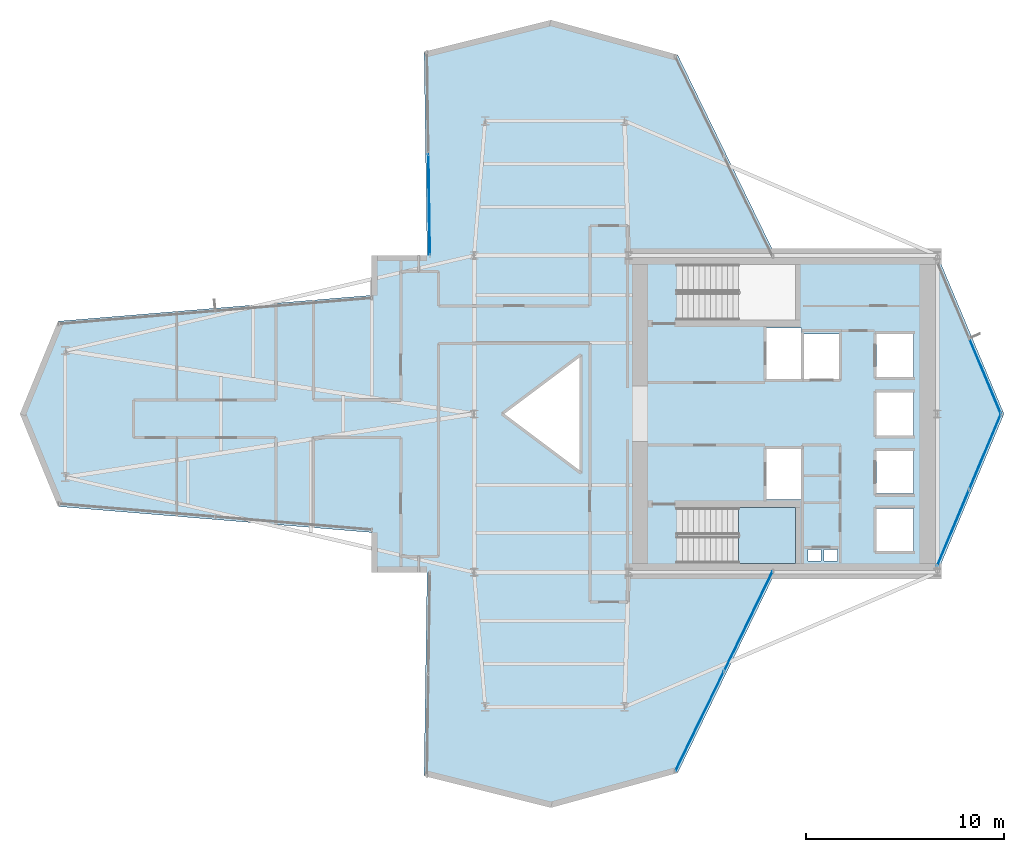
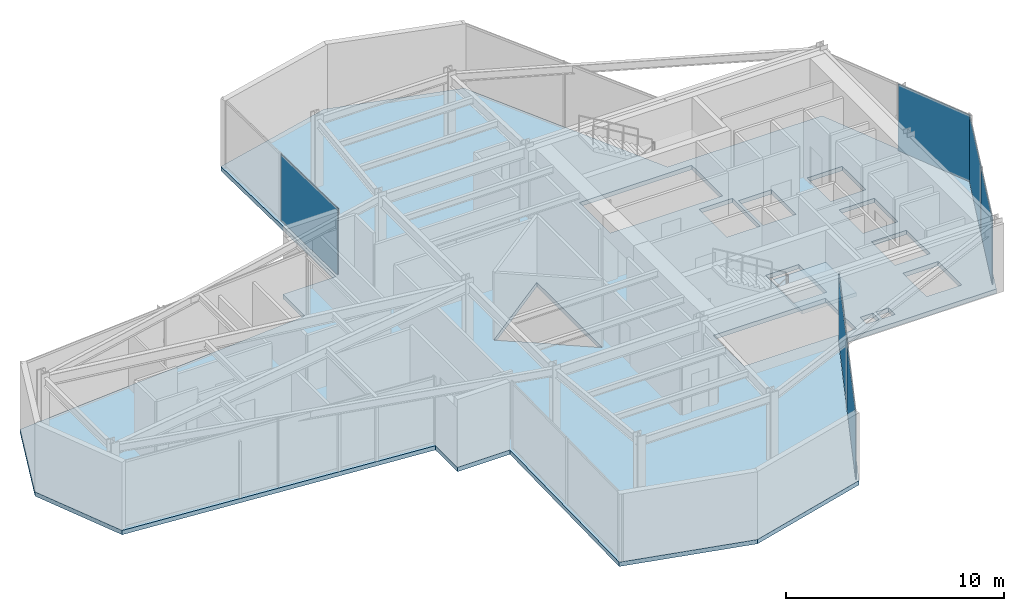
# One storey, part 20 of 25: 6 plates, 2 slabs, 5 elements without a shape of their own.
"""IFC4 building model written with IfcOpenShell, lengths in metres."""

from ifc_helpers import new_model, si_unit, direction, frame, origin, origin_2d, place, context, subcontext, project, spatial, polyline, rectangle, outline, extrude, material, layer, layer_set, type_object, element, aggregate, save


model = new_model("IFC4")

# Units and contexts
model_context = context("Model", 3, precision=1e-05, world=origin(), true_north=direction((0.0, 1.0)))
body_context = subcontext(model_context, "Body", "Model", "MODEL_VIEW")
ifc_project = project(units=[si_unit("LENGTHUNIT", "METRE"), si_unit("AREAUNIT", "SQUARE_METRE"), si_unit("VOLUMEUNIT", "CUBIC_METRE"), si_unit("PLANEANGLEUNIT", "RADIAN"), si_unit("MASSUNIT", "GRAM", prefix="KILO")], contexts=[model_context])

# Site, building, storey
site_placement = place(None, origin())
site = spatial("IfcSite", under=ifc_project, at=site_placement, CompositionType="ELEMENT")
building_placement = place(site_placement, origin())
building = spatial("IfcBuilding", under=site, at=building_placement, Name="Veymaron Broadcast Tower", CompositionType="ELEMENT")
storey_placement = place(building_placement, frame((0.0, 0.0, 116.85009765625)))
storey = spatial("IfcBuildingStorey", under=building, at=storey_placement, Name="L26", CompositionType="ELEMENT", Elevation=116.85009765625)

# Curtain wall, plates
ifc_material_1 = material(Name="Anodised aluminium AA 6063-T6 and laminated low-E dark glass", Category="aluminium")
ifc_layer_1 = layer(ifc_material_1, 0.179931640625)
ifc_layer_set_1 = layer_set([ifc_layer_1], Name="Anodised aluminium AA 6063-T6 and laminated low-E dark glass")
curtain_wall_type = type_object("IfcCurtainWallType", Name="CW-SYS-03", PredefinedType="NOTDEFINED", material=ifc_layer_set_1)
curtain_wall_1_placement = place(storey_placement, origin())
curtain_wall_1 = element("IfcCurtainWall", 1, at=curtain_wall_1_placement, inside=storey, type_object=curtain_wall_type, Name="L26 dark-glass curtain wall CW-L26-E2-1", PredefinedType="NOTDEFINED")
ifc_material_2 = material(Name="Insulated dark-anodised aluminium spandrel panel 40 mm", Category="aluminium")
ifc_layer_2 = layer(ifc_material_2, 0.0400390625)
ifc_layer_set_2 = layer_set([ifc_layer_2], Name="Insulated dark-anodised aluminium spandrel panel 40 mm")
plate_type = type_object("IfcPlateType", Name="CW-PNL-03", PredefinedType="CURTAIN_PANEL", material=ifc_layer_set_2)
plate_1_placement = place(storey_placement, frame((55.390380859375, 18.243408203125, 0.039794921875), z_axis=(0.0, 0.0, 1.0), x_axis=(0.387225955483, 0.921984847706, 0.0)))
plate_1 = element("IfcPlate", 2, at=plate_1_placement, type_object=plate_type, Name="CW-L26-E2-1 unitised curtain panel 0", PredefinedType="CURTAIN_PANEL", context=body_context, shape_type="SweptSolid", body=[
    extrude(rectangle(XDim=4.141845703125, YDim=0.0400390625, at=origin_2d()), origin(), (0.0, 0.0, 1.0), 3.72998046875),
])
plate_2_placement = place(storey_placement, frame((57.017333984375, 22.1171875, 0.039794921875), z_axis=(0.0, 0.0, 1.0), x_axis=(0.387225955483, 0.921984847706, 0.0)))
plate_2 = element("IfcPlate", 3, at=plate_2_placement, type_object=plate_type, Name="CW-L26-E2-1 unitised curtain panel 1", PredefinedType="CURTAIN_PANEL", context=body_context, shape_type="SweptSolid", body=[
    extrude(rectangle(XDim=4.141845703125, YDim=0.0400390625, at=origin_2d()), origin(), (0.0, 0.0, 1.0), 3.72998046875),
])
aggregate(curtain_wall_1, [plate_1, plate_2])

# Curtain wall, plate
curtain_wall_2_placement = place(storey_placement, origin())
curtain_wall_2 = element("IfcCurtainWall", 4, at=curtain_wall_2_placement, inside=storey, type_object=curtain_wall_type, Name="L26 dark-glass curtain wall CW-L26-E3-1", PredefinedType="NOTDEFINED")
plate_3_placement = place(storey_placement, frame((57.017333984375, 25.8828125, 0.039794921875), z_axis=(0.0, 0.0, 1.0), x_axis=(-0.387225955483, 0.921984847706, 0.0)))
plate_3 = element("IfcPlate", 5, at=plate_3_placement, type_object=plate_type, Name="CW-L26-E3-1 unitised curtain panel 0", PredefinedType="CURTAIN_PANEL", context=body_context, shape_type="SweptSolid", body=[
    extrude(rectangle(XDim=4.141845703125, YDim=0.0400390625, at=origin_2d()), origin(), (0.0, 0.0, 1.0), 3.72998046875),
])
aggregate(curtain_wall_2, [plate_3])

curtain_wall_3_placement = place(storey_placement, origin())
curtain_wall_3 = element("IfcCurtainWall", 6, at=curtain_wall_3_placement, inside=storey, type_object=curtain_wall_type, Name="L26 dark-glass curtain wall CW-L26-E8-1", PredefinedType="NOTDEFINED")
plate_4_placement = place(storey_placement, frame((28.9306640625, 34.572021484375, 0.039794921875), z_axis=(0.0, 0.0, 1.0), x_axis=(0.014642789111, -0.999892788616, 0.0)))
plate_4 = element("IfcPlate", 7, at=plate_4_placement, type_object=plate_type, Name="CW-L26-E8-1 unitised curtain panel 1", PredefinedType="CURTAIN_PANEL", context=body_context, shape_type="SweptSolid", body=[
    extrude(rectangle(XDim=5.08056640625, YDim=0.0400390625, at=origin_2d()), origin(), (0.0, 0.0, 1.0), 3.72998046875),
])
aggregate(curtain_wall_3, [plate_4])

# Curtain wall, plates
curtain_wall_4_placement = place(storey_placement, origin())
curtain_wall_4 = element("IfcCurtainWall", 8, at=curtain_wall_4_placement, inside=storey, type_object=curtain_wall_type, Name="L26 dark-glass curtain wall CW-L26-E20-1", PredefinedType="NOTDEFINED")
plate_5_placement = place(storey_placement, frame((42.58837890625, 8.47119140625, 0.039794921875), z_axis=(0.0, 0.0, 1.0), x_axis=(0.437822022994, 0.899061664282, 0.0)))
plate_5 = element("IfcPlate", 9, at=plate_5_placement, type_object=plate_type, Name="CW-L26-E20-1 unitised curtain panel 0", PredefinedType="CURTAIN_PANEL", context=body_context, shape_type="SweptSolid", body=[
    extrude(rectangle(XDim=5.568115234375, YDim=0.0400390625, at=origin_2d()), origin(), (0.0, 0.0, 1.0), 3.72998046875),
])
plate_6_placement = place(storey_placement, frame((45.052490234375, 13.53125, 0.039794921875), z_axis=(0.0, 0.0, 1.0), x_axis=(0.437822022994, 0.899061664282, 0.0)))
plate_6 = element("IfcPlate", 10, at=plate_6_placement, type_object=plate_type, Name="CW-L26-E20-1 unitised curtain panel 1", PredefinedType="CURTAIN_PANEL", context=body_context, shape_type="SweptSolid", body=[
    extrude(rectangle(XDim=5.568115234375, YDim=0.0400390625, at=origin_2d()), origin(), (0.0, 0.0, 1.0), 3.72998046875),
])
aggregate(curtain_wall_4, [plate_5, plate_6])

# Slab
ifc_material_3 = material(Name="Concrete C40/50", Category="concrete")
ifc_layer_3 = layer(ifc_material_3, 0.239990234375)
ifc_layer_set_3 = layer_set([ifc_layer_3], Name="Concrete C40/50")
slab_type_1 = type_object("IfcSlabType", Name="SLAB-FS6", PredefinedType="FLOOR", material=ifc_layer_set_3)
slab_1_placement = place(storey_placement, frame((0.0, 0.0, -0.239990234375)))
element("IfcSlab", 11, at=slab_1_placement, inside=storey, type_object=slab_type_1, Name="L26 structural floor slab", PredefinedType="FLOOR", context=body_context, shape_type="SweptSolid", body=[
    extrude(outline(polyline([(46.410400390625, 16.0), (54.60009765625, 16.0), (57.9599609375, 24.0), (54.60009765625, 32.0), (46.410400390625, 32.0), (41.482177734375, 42.1201171875), (35.080078125, 43.8798828125), (28.677734375, 42.280029296875), (28.828369140625, 32.0), (26.0400390625, 32.0), (26.0400390625, 29.990478515625), (10.199951171875, 28.6787109375), (8.280029296875, 24.0), (10.199951171875, 19.3212890625), (26.0400390625, 18.009521484375), (26.0400390625, 16.0), (28.828369140625, 16.0), (28.677734375, 5.719970703125), (35.080078125, 4.1201171875), (41.482177734375, 5.8798828125), (46.410400390625, 16.0)]), holes=[polyline([(45.969970703125, 28.330078125), (47.72998046875, 28.330078125), (47.72998046875, 25.77001953125), (45.969970703125, 25.77001953125), (45.969970703125, 28.330078125)]), polyline([(45.969970703125, 22.22998046875), (47.72998046875, 22.22998046875), (47.72998046875, 19.669921875), (45.969970703125, 19.669921875), (45.969970703125, 22.22998046875)]), polyline([(47.8701171875, 28.030029296875), (49.6298828125, 28.030029296875), (49.6298828125, 25.77001953125), (47.8701171875, 25.77001953125), (47.8701171875, 28.030029296875)]), polyline([(51.52001953125, 28.030029296875), (53.3798828125, 28.030029296875), (53.3798828125, 25.8701171875), (51.52001953125, 25.8701171875), (51.52001953125, 28.030029296875)]), polyline([(51.52001953125, 22.1298828125), (53.3798828125, 22.1298828125), (53.3798828125, 19.969970703125), (51.52001953125, 19.969970703125), (51.52001953125, 22.1298828125)]), polyline([(51.52001953125, 25.080078125), (53.3798828125, 25.080078125), (53.3798828125, 22.919921875), (51.52001953125, 22.919921875), (51.52001953125, 25.080078125)]), polyline([(51.52001953125, 19.22998046875), (53.3798828125, 19.22998046875), (53.3798828125, 17.070068359375), (51.52001953125, 17.070068359375), (51.52001953125, 19.22998046875)]), polyline([(48.050048828125, 17.159912109375), (48.719970703125, 17.159912109375), (48.719970703125, 16.56005859375), (48.050048828125, 16.56005859375), (48.050048828125, 17.159912109375)]), polyline([(48.8798828125, 17.159912109375), (49.550048828125, 17.159912109375), (49.550048828125, 16.56005859375), (48.8798828125, 16.56005859375), (48.8798828125, 17.159912109375)]), polyline([(36.60009765625, 27.0), (36.60009765625, 21.0), (32.60009765625, 24.0), (36.60009765625, 27.0)]), polyline([(41.489990234375, 31.550048828125), (47.43994140625, 31.550048828125), (47.43994140625, 28.72998046875), (41.489990234375, 28.72998046875), (41.489990234375, 31.550048828125)]), polyline([(41.489990234375, 19.27001953125), (47.43994140625, 19.27001953125), (47.43994140625, 16.449951171875), (41.489990234375, 16.449951171875), (41.489990234375, 19.27001953125)])]), origin(), (0.0, 0.0, 1.0), 0.239990234375),
])

# Stair, slab
ifc_material_4 = material(Name="Concrete C50/60", Category="concrete")
stair_type = type_object("IfcStairType", Name="STAIR-CORE-2", PredefinedType="HALF_TURN_STAIR", material=ifc_material_4)
stair_placement = place(storey_placement, origin())
stair = element("IfcStair", 12, at=stair_placement, inside=storey, type_object=stair_type, Name="L26 South protected dog-leg exit stair ST2", PredefinedType="HALF_TURN_STAIR")
ifc_layer_4 = layer(ifc_material_4, 0.199951171875)
ifc_layer_set_4 = layer_set([ifc_layer_4], Name="Concrete C50/60")
slab_type_2 = type_object("IfcSlabType", Name="SLAB-STAIR-LDG", PredefinedType="LANDING", material=ifc_layer_set_4)
slab_2_placement = place(storey_placement, frame((0.0, 0.0, 1.824951171875)))
slab_2 = element("IfcSlab", 13, at=slab_2_placement, type_object=slab_type_2, Name="ST2 landing 1", PredefinedType="LANDING", context=body_context, shape_type="SweptSolid", body=[
    extrude(outline(polyline([(44.56494140625, 16.449951171875), (47.43994140625, 16.449951171875), (47.43994140625, 19.27001953125), (44.56494140625, 19.27001953125), (44.56494140625, 16.449951171875)])), origin(), (0.0, 0.0, 1.0), 0.199951171875),
])
aggregate(stair, [slab_2])

save(model, "model.ifc")
